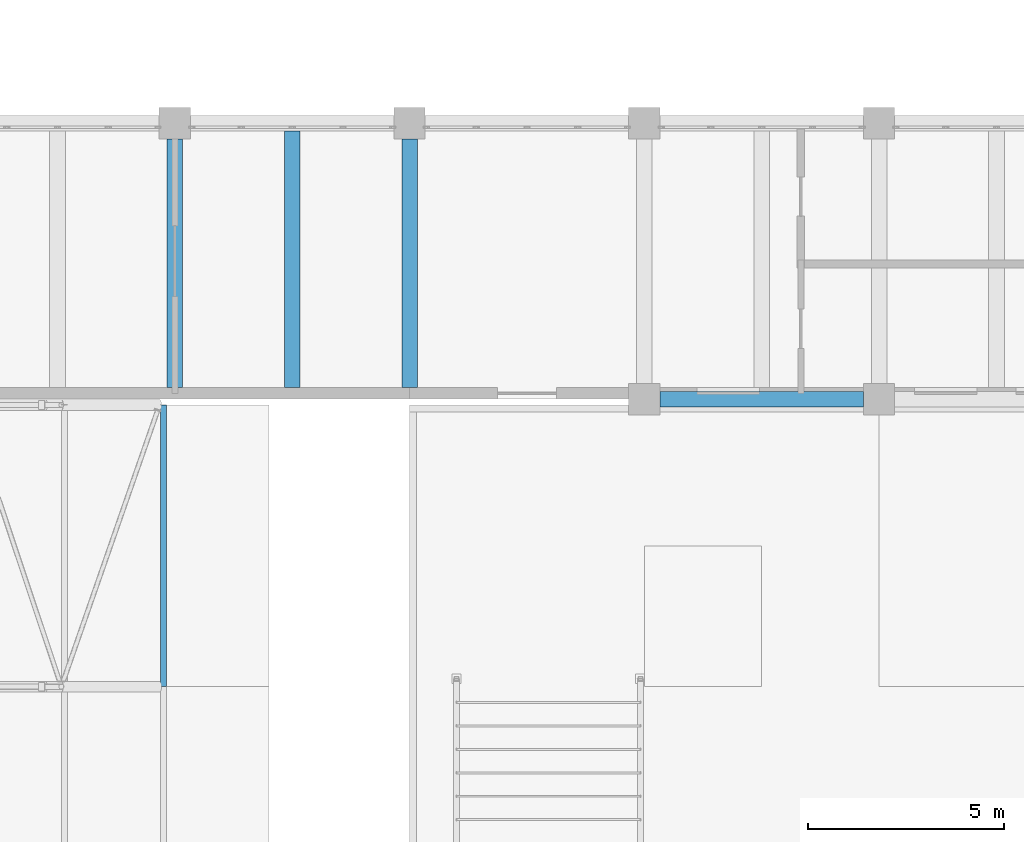
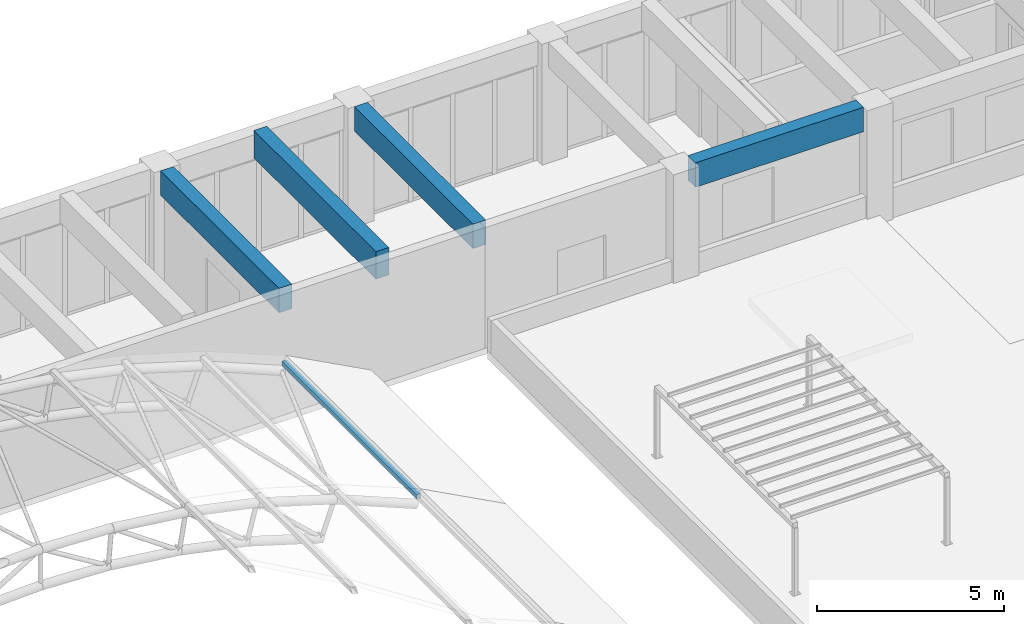
# One storey, part 16 of 92: 4 beams, 1 member.
"""IFC4 building model written with IfcOpenShell, lengths in metres."""

import ifcopenshell
import ifcopenshell.guid

model = None  # the IFC model being written
_history = None  # IfcOwnerHistory: only IFC2X3 demands one
_inside = {}  # id of a spatial element -> (the spatial element, [elements in it])
_under = {}  # id of a project, library or spatial element -> (it, [spatial elements below it])
_declared = {}  # id of a project -> (the project, [libraries it declares])
_typed = {}  # id of a type object -> (the type object, [elements of that type])
_made_of = {}  # id of a material, layer set ... -> (it, [elements and type objects made of it])


def new_model(schema):
    """Start an empty IFC model of exactly this schema.

    Asked for "IFC4X3", IfcOpenShell would pick the latest addendum, in which some entities
    have other attributes; the version numbers below select the first issue.
    IFC2X3 requires an IfcOwnerHistory on every rooted entity: one is made here for all.
    """
    global model, _history
    if schema == "IFC4X3":
        model = ifcopenshell.file(schema_version=(4, 3, 0, 0))
    else:
        model = ifcopenshell.file(schema=schema)
    _inside.clear()
    _under.clear()
    _declared.clear()
    _typed.clear()
    _made_of.clear()
    _history = None
    if model.schema == "IFC2X3":
        org = make("IfcOrganization", Name="unknown")
        user = make(
            "IfcPersonAndOrganization",
            ThePerson=make("IfcPerson", FamilyName="unknown"),
            TheOrganization=org,
        )
        app = make(
            "IfcApplication",
            ApplicationDeveloper=org,
            Version="unknown",
            ApplicationFullName="unknown",
            ApplicationIdentifier="unknown",
        )
        _history = make(
            "IfcOwnerHistory",
            OwningUser=user,
            OwningApplication=app,
            ChangeAction="ADDED",
            CreationDate=0,
        )
    return model


def make(cls, **values):
    """One entity of the class cls with the attributes given. An attribute that is None is left unset."""
    return model.create_entity(
        cls, **{name: value for name, value in values.items() if value is not None}
    )


def rooted(cls, **values):
    """An entity with a GlobalId (a new one), such as an element, a storey or a relation."""
    return make(cls, GlobalId=ifcopenshell.guid.new(), OwnerHistory=_history, **values)


def si_unit(unit_type, name, prefix=None):
    """IfcSIUnit, for example si_unit("LENGTHUNIT", "METRE", prefix="MILLI")."""
    return make("IfcSIUnit", UnitType=unit_type, Prefix=prefix, Name=name)


def assignment(units):
    """IfcUnitAssignment: the units of a project."""
    return None if units is None else make("IfcUnitAssignment", Units=units)


def point(xyz):
    """IfcCartesianPoint."""
    return None if xyz is None else make("IfcCartesianPoint", Coordinates=xyz)


def direction(xyz):
    """IfcDirection."""
    return None if xyz is None else make("IfcDirection", DirectionRatios=xyz)


def frame(location, z_axis=None, x_axis=None):
    """IfcAxis2Placement3D, a coordinate frame: its origin and axes. An axis left out is left unset."""
    return make(
        "IfcAxis2Placement3D",
        Location=point(location),
        Axis=direction(z_axis),
        RefDirection=direction(x_axis),
    )


def frame_2d(location, x_axis=None):
    """IfcAxis2Placement2D, a coordinate frame in the plane: its origin and x axis."""
    return make(
        "IfcAxis2Placement2D", Location=point(location), RefDirection=direction(x_axis)
    )


def origin():
    """The frame at (0, 0, 0) with its axes left unset."""
    return frame((0.0, 0.0, 0.0))


def origin_2d():
    """The frame at (0, 0) in the plane with its x axis left unset."""
    return frame_2d((0.0, 0.0))


def place(relative_to, where):
    """IfcLocalPlacement: puts the frame where relative to a parent placement (None: the world)."""
    return make(
        "IfcLocalPlacement", PlacementRelTo=relative_to, RelativePlacement=where
    )


def context(
    kind, dimensions, precision=None, world=None, true_north=None, identifier=None
):
    """IfcGeometricRepresentationContext, for example the 3D "Model" context."""
    return make(
        "IfcGeometricRepresentationContext",
        ContextIdentifier=identifier,
        ContextType=kind,
        CoordinateSpaceDimension=dimensions,
        Precision=precision,
        WorldCoordinateSystem=world,
        TrueNorth=true_north,
    )


def subcontext(parent, identifier, kind, view, scale=None):
    """IfcGeometricRepresentationSubContext, for example "Body" below "Model"."""
    return make(
        "IfcGeometricRepresentationSubContext",
        ContextIdentifier=identifier,
        ContextType=kind,
        ParentContext=parent,
        TargetScale=scale,
        TargetView=view,
    )


def project(units=None, contexts=None):
    """IfcProject with its units and contexts."""
    return rooted(
        "IfcProject",
        Name="project",
        RepresentationContexts=contexts,
        UnitsInContext=assignment(units),
    )


def spatial(cls, under=None, at=None, **own):
    """A site, building, storey or space (cls), placed at a placement, below another one or the project."""
    s = rooted(cls, ObjectPlacement=at, **own)
    if under is not None:
        _under.setdefault(under.id(), (under, []))[1].append(s)
    return s


def profile(cls, at=None, kind="AREA", **sizes):
    """A parametric profile (cls). Its sizes go by their IFC names, for example OverallWidth=200.0."""
    return make(cls, ProfileType=kind, Position=at, **sizes)


def rectangle(**sizes):
    """IfcRectangleProfileDef."""
    return profile("IfcRectangleProfileDef", **sizes)


def hollow_rectangle(**sizes):
    """IfcRectangleHollowProfileDef."""
    return profile("IfcRectangleHollowProfileDef", **sizes)


def extrude(swept, where, along, depth):
    """IfcExtrudedAreaSolid: the profile swept, set in the frame where, extruded along a direction by depth."""
    return make(
        "IfcExtrudedAreaSolid",
        SweptArea=swept,
        Position=where,
        ExtrudedDirection=direction(along),
        Depth=depth,
    )


def shape(context_of_items, identifier, shape_type, items):
    """IfcShapeRepresentation: the items that make up one representation, for example the "Body"."""
    return make(
        "IfcShapeRepresentation",
        ContextOfItems=context_of_items,
        RepresentationIdentifier=identifier,
        RepresentationType=shape_type,
        Items=items,
    )


def material(Name=None, Category=None):
    """IfcMaterial."""
    return make("IfcMaterial", Name=Name, Category=Category)


def material_profile(
    of_material, cross_section, Name=None, Category=None, Priority=None
):
    """IfcMaterialProfile: a cross section and its material."""
    return make(
        "IfcMaterialProfile",
        Name=Name,
        Material=of_material,
        Profile=cross_section,
        Priority=Priority,
        Category=Category,
    )


def profile_set(profiles, Name=None, composite=None):
    """IfcMaterialProfileSet."""
    return make(
        "IfcMaterialProfileSet",
        Name=Name,
        MaterialProfiles=profiles,
        CompositeProfile=composite,
    )


def made_of(thing, what):
    """Note that an element or type object is made of a material, layer set ...; save() writes the relation."""
    if what is not None:
        _made_of.setdefault(what.id(), (what, []))[1].append(thing)
    return thing


def type_object(cls, material=None, **own):
    """A type object (cls), such as IfcWallType, which elements share."""
    return made_of(rooted(cls, **own), material)


def element(
    cls,
    number,
    at=None,
    inside=None,
    cuts=None,
    type_object=None,
    material=None,
    context=None,
    identifier="Body",
    shape_type=None,
    held_by="IfcProductDefinitionShape",
    body=None,
    shapes=None,
    **own,
):
    """One element of the class cls, such as IfcWall. Its Tag is "e" and its number.

    at: its placement. inside: the storey or other place that contains it. cuts: it is an
    opening in that element (IfcRelVoidsElement). A single representation is given by context,
    identifier, shape_type and body (its items); several are given by shapes. held_by: the class
    of the entity that holds the representations. save() writes the other relations.
    """
    e = rooted(cls, Tag="e%d" % number, ObjectPlacement=at, **own)
    if body is not None:
        shapes = [shape(context, identifier, shape_type, body)]
    if shapes is not None:
        e.Representation = make(held_by, Representations=shapes)
    if inside is not None:
        _inside.setdefault(inside.id(), (inside, []))[1].append(e)
    if cuts is not None:
        rooted(
            "IfcRelVoidsElement", RelatingBuildingElement=cuts, RelatedOpeningElement=e
        )
    if type_object is not None:
        _typed.setdefault(type_object.id(), (type_object, []))[1].append(e)
    return made_of(e, material)


def aggregate(whole, parts):
    """IfcRelAggregates: a whole, such as a stair, and the parts it consists of."""
    return rooted("IfcRelAggregates", RelatingObject=whole, RelatedObjects=parts)


def save(model, path):
    """Write the relations noted so far, then the file.

    IfcRelAggregates (storeys below a building ...), IfcRelContainedInSpatialStructure (elements
    in a storey), IfcRelDefinesByType, IfcRelAssociatesMaterial and IfcRelDeclares: one each for
    every whole, place, type object, material and project.
    """
    for whole, parts in _under.values():
        aggregate(whole, parts)
    for where, things in _inside.values():
        rooted(
            "IfcRelContainedInSpatialStructure",
            RelatedElements=things,
            RelatingStructure=where,
        )
    for kind, things in _typed.values():
        rooted("IfcRelDefinesByType", RelatedObjects=things, RelatingType=kind)
    for what, things in _made_of.values():
        rooted("IfcRelAssociatesMaterial", RelatedObjects=things, RelatingMaterial=what)
    for by, libraries in _declared.values():
        rooted("IfcRelDeclares", RelatingContext=by, RelatedDefinitions=libraries)
    model.write(path)


model = new_model("IFC4")

# Units and contexts
model_context = context("Model", 3, precision=1e-05, world=origin(), true_north=direction((0.0, 1.0)))
body_context = subcontext(model_context, "Body", "Model", "MODEL_VIEW")
ifc_project = project(units=[si_unit("LENGTHUNIT", "METRE"), si_unit("AREAUNIT", "SQUARE_METRE"), si_unit("VOLUMEUNIT", "CUBIC_METRE"), si_unit("PLANEANGLEUNIT", "RADIAN"), si_unit("MASSUNIT", "GRAM", prefix="KILO")], contexts=[model_context])

# Site, building, storey
site_placement = place(None, origin())
site = spatial("IfcSite", under=ifc_project, at=site_placement, CompositionType="ELEMENT")
building_placement = place(site_placement, origin())
building = spatial("IfcBuilding", under=site, at=building_placement, Name="Laocheng Heights Fire and Rescue Headquarters", CompositionType="ELEMENT")
storey_placement = place(building_placement, frame((0.0, 0.0, 12.60009765625)))
storey = spatial("IfcBuildingStorey", under=building, at=storey_placement, Name="L03", CompositionType="ELEMENT", Elevation=12.60009765625)

# Member
ifc_material_1 = material(Name="Steel Q355B", Category="steel")
ifc_material_profile_1 = material_profile(ifc_material_1, hollow_rectangle(XDim=0.14990234375, YDim=0.14990234375, WallThickness=0.008056640625, at=origin_2d()), Name="SHS 150x150x8")
ifc_profile_set_1 = profile_set([ifc_material_profile_1], Name="Steel Q355B")
member_type = type_object("IfcMemberType", Name="BAY ROOF PURLIN SHS 150x150x8", PredefinedType="PURLIN", material=ifc_profile_set_1)
member_placement = place(storey_placement, frame((47.710693359375, 14.39990234375, 1.822265625), z_axis=(0.0, 1.0, 0.0), x_axis=(-1.0, 0.0, 0.0)))
element("IfcMember", 1, at=member_placement, inside=storey, type_object=member_type, Name="Purlin 14.3", PredefinedType="PURLIN", context=body_context, shape_type="SweptSolid", body=[
    extrude(hollow_rectangle(XDim=0.14990234375, YDim=0.14990234375, WallThickness=0.008056640625, at=origin_2d()), origin(), (0.0, 0.0, 1.0), 7.2001953125),
])

# Beams
ifc_material_2 = material(Name="Concrete C40", Category="concrete")
ifc_material_profile_2 = material_profile(ifc_material_2, rectangle(XDim=0.39990234375, YDim=0.800048828125, at=origin_2d()), Name="RC BEAM 400x800 GALLERY FLOOR")
ifc_profile_set_2 = profile_set([ifc_material_profile_2], Name="Concrete C40")
beam_type_1 = type_object("IfcBeamType", Name="RC BEAM 400x800 GALLERY FLOOR", PredefinedType="BEAM", material=ifc_profile_set_2)
beam_1_placement = place(storey_placement, frame((60.39990234375, 21.75, 3.5498046875), z_axis=(1.0, 0.0, 0.0), x_axis=(0.0, 1.0, 0.0)))
element("IfcBeam", 2, at=beam_1_placement, inside=storey, type_object=beam_type_1, Name="Gallery roof beam", PredefinedType="BEAM", context=body_context, shape_type="SweptSolid", body=[
    extrude(rectangle(XDim=0.39990234375, YDim=0.800048828125, at=origin_2d()), origin(), (0.0, 0.0, 1.0), 5.2001953125),
])
ifc_material_3 = material(Name="Concrete C40", Category="concrete")
ifc_material_profile_3 = material_profile(ifc_material_3, rectangle(XDim=0.39990234375, YDim=0.800048828125, at=origin_2d()), Name="RC BEAM 400x800 GALLERY ROOF")
ifc_profile_set_3 = profile_set([ifc_material_profile_3], Name="Concrete C40")
beam_type_2 = type_object("IfcBeamType", Name="RC BEAM 400x800 GALLERY ROOF", PredefinedType="BEAM", material=ifc_profile_set_3)
for number, where, z_axis, x_axis, name in (
    (3, (48.0, 22.050048828125, 3.5498046875), (0.0, 1.0, 0.0), (-1.0, 0.0, 0.0), "Gallery beam on south wall"),
    (4, (54.0, 22.050048828125, 3.5498046875), (0.0, 1.0, 0.0), (-1.0, 0.0, 0.0), "Gallery beam on south wall"),
):
    element("IfcBeam", number, at=place(storey_placement, frame(where, z_axis=z_axis, x_axis=x_axis)), inside=storey, type_object=beam_type_2, Name=name, PredefinedType="BEAM", context=body_context, shape_type="SweptSolid", body=[
        extrude(rectangle(XDim=0.39990234375, YDim=0.800048828125, at=origin_2d()), origin(), (0.0, 0.0, 1.0), 6.349853515625),
    ])
ifc_material_4 = material(Name="Concrete C50", Category="concrete")
ifc_material_profile_4 = material_profile(ifc_material_4, rectangle(XDim=0.39990234375, YDim=0.89990234375, at=origin_2d()), Name="RC BEAM 400x900 TRANSFER SECONDARY")
ifc_profile_set_4 = profile_set([ifc_material_profile_4], Name="Concrete C50")
beam_type_3 = type_object("IfcBeamType", Name="RC BEAM 400x900 TRANSFER SECONDARY", PredefinedType="BEAM", material=ifc_profile_set_4)
beam_2_placement = place(storey_placement, frame((51.0, 22.050048828125, 3.64990234375), z_axis=(0.0, 1.0, 0.0), x_axis=(-1.0, 0.0, 0.0)))
element("IfcBeam", 5, at=beam_2_placement, inside=storey, type_object=beam_type_3, Name="Gallery secondary beam", PredefinedType="BEAM", context=body_context, shape_type="SweptSolid", body=[
    extrude(rectangle(XDim=0.39990234375, YDim=0.89990234375, at=origin_2d()), origin(), (0.0, 0.0, 1.0), 6.550048828125),
])

save(model, "model.ifc")
